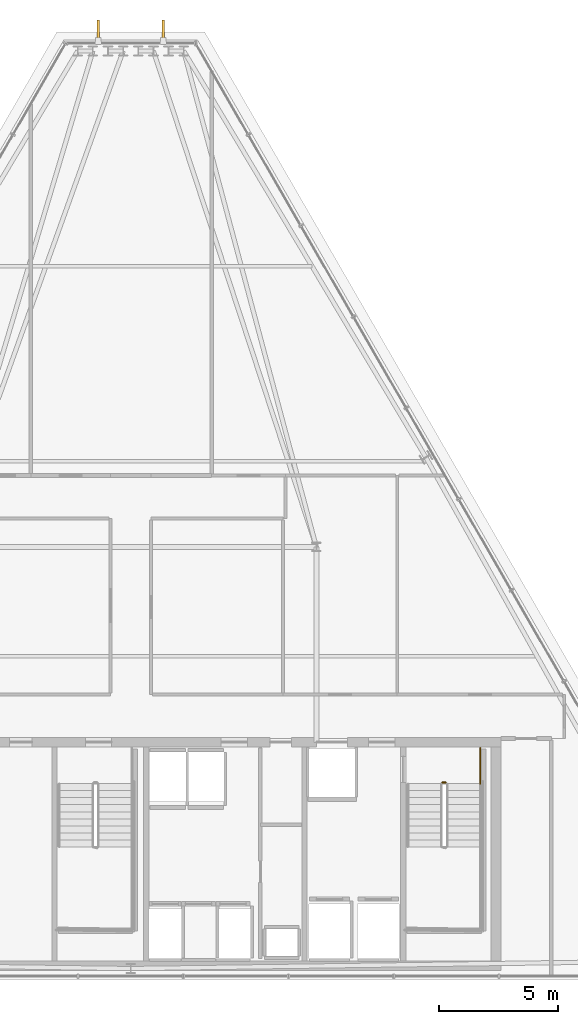
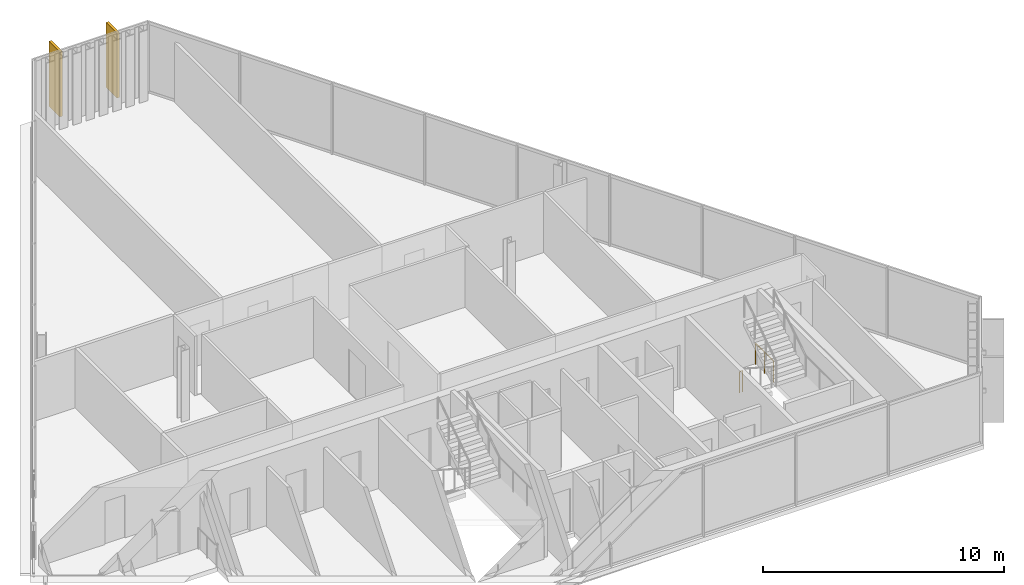
# One storey, part 34 of 34: 2 railings, 2 shading devices.
"""IFC4 building model written with IfcOpenShell, lengths in metres."""

import ifcopenshell
import ifcopenshell.guid

model = None  # the IFC model being written
_history = None  # IfcOwnerHistory: only IFC2X3 demands one
_inside = {}  # id of a spatial element -> (the spatial element, [elements in it])
_under = {}  # id of a project, library or spatial element -> (it, [spatial elements below it])
_declared = {}  # id of a project -> (the project, [libraries it declares])
_typed = {}  # id of a type object -> (the type object, [elements of that type])
_made_of = {}  # id of a material, layer set ... -> (it, [elements and type objects made of it])


def new_model(schema):
    """Start an empty IFC model of exactly this schema.

    Asked for "IFC4X3", IfcOpenShell would pick the latest addendum, in which some entities
    have other attributes; the version numbers below select the first issue.
    IFC2X3 requires an IfcOwnerHistory on every rooted entity: one is made here for all.
    """
    global model, _history
    if schema == "IFC4X3":
        model = ifcopenshell.file(schema_version=(4, 3, 0, 0))
    else:
        model = ifcopenshell.file(schema=schema)
    _inside.clear()
    _under.clear()
    _declared.clear()
    _typed.clear()
    _made_of.clear()
    _history = None
    if model.schema == "IFC2X3":
        org = make("IfcOrganization", Name="unknown")
        user = make(
            "IfcPersonAndOrganization",
            ThePerson=make("IfcPerson", FamilyName="unknown"),
            TheOrganization=org,
        )
        app = make(
            "IfcApplication",
            ApplicationDeveloper=org,
            Version="unknown",
            ApplicationFullName="unknown",
            ApplicationIdentifier="unknown",
        )
        _history = make(
            "IfcOwnerHistory",
            OwningUser=user,
            OwningApplication=app,
            ChangeAction="ADDED",
            CreationDate=0,
        )
    return model


def make(cls, **values):
    """One entity of the class cls with the attributes given. An attribute that is None is left unset."""
    return model.create_entity(
        cls, **{name: value for name, value in values.items() if value is not None}
    )


def rooted(cls, **values):
    """An entity with a GlobalId (a new one), such as an element, a storey or a relation."""
    return make(cls, GlobalId=ifcopenshell.guid.new(), OwnerHistory=_history, **values)


def si_unit(unit_type, name, prefix=None):
    """IfcSIUnit, for example si_unit("LENGTHUNIT", "METRE", prefix="MILLI")."""
    return make("IfcSIUnit", UnitType=unit_type, Prefix=prefix, Name=name)


def assignment(units):
    """IfcUnitAssignment: the units of a project."""
    return None if units is None else make("IfcUnitAssignment", Units=units)


def point(xyz):
    """IfcCartesianPoint."""
    return None if xyz is None else make("IfcCartesianPoint", Coordinates=xyz)


def direction(xyz):
    """IfcDirection."""
    return None if xyz is None else make("IfcDirection", DirectionRatios=xyz)


def frame(location, z_axis=None, x_axis=None):
    """IfcAxis2Placement3D, a coordinate frame: its origin and axes. An axis left out is left unset."""
    return make(
        "IfcAxis2Placement3D",
        Location=point(location),
        Axis=direction(z_axis),
        RefDirection=direction(x_axis),
    )


def frame_2d(location, x_axis=None):
    """IfcAxis2Placement2D, a coordinate frame in the plane: its origin and x axis."""
    return make(
        "IfcAxis2Placement2D", Location=point(location), RefDirection=direction(x_axis)
    )


def origin():
    """The frame at (0, 0, 0) with its axes left unset."""
    return frame((0.0, 0.0, 0.0))


def origin_2d():
    """The frame at (0, 0) in the plane with its x axis left unset."""
    return frame_2d((0.0, 0.0))


def place(relative_to, where):
    """IfcLocalPlacement: puts the frame where relative to a parent placement (None: the world)."""
    return make(
        "IfcLocalPlacement", PlacementRelTo=relative_to, RelativePlacement=where
    )


def context(
    kind, dimensions, precision=None, world=None, true_north=None, identifier=None
):
    """IfcGeometricRepresentationContext, for example the 3D "Model" context."""
    return make(
        "IfcGeometricRepresentationContext",
        ContextIdentifier=identifier,
        ContextType=kind,
        CoordinateSpaceDimension=dimensions,
        Precision=precision,
        WorldCoordinateSystem=world,
        TrueNorth=true_north,
    )


def subcontext(parent, identifier, kind, view, scale=None):
    """IfcGeometricRepresentationSubContext, for example "Body" below "Model"."""
    return make(
        "IfcGeometricRepresentationSubContext",
        ContextIdentifier=identifier,
        ContextType=kind,
        ParentContext=parent,
        TargetScale=scale,
        TargetView=view,
    )


def project(units=None, contexts=None):
    """IfcProject with its units and contexts."""
    return rooted(
        "IfcProject",
        Name="project",
        RepresentationContexts=contexts,
        UnitsInContext=assignment(units),
    )


def spatial(cls, under=None, at=None, **own):
    """A site, building, storey or space (cls), placed at a placement, below another one or the project."""
    s = rooted(cls, ObjectPlacement=at, **own)
    if under is not None:
        _under.setdefault(under.id(), (under, []))[1].append(s)
    return s


def profile(cls, at=None, kind="AREA", **sizes):
    """A parametric profile (cls). Its sizes go by their IFC names, for example OverallWidth=200.0."""
    return make(cls, ProfileType=kind, Position=at, **sizes)


def rectangle(**sizes):
    """IfcRectangleProfileDef."""
    return profile("IfcRectangleProfileDef", **sizes)


def circle(**sizes):
    """IfcCircleProfileDef."""
    return profile("IfcCircleProfileDef", **sizes)


def extrude(swept, where, along, depth):
    """IfcExtrudedAreaSolid: the profile swept, set in the frame where, extruded along a direction by depth."""
    return make(
        "IfcExtrudedAreaSolid",
        SweptArea=swept,
        Position=where,
        ExtrudedDirection=direction(along),
        Depth=depth,
    )


def shape(context_of_items, identifier, shape_type, items):
    """IfcShapeRepresentation: the items that make up one representation, for example the "Body"."""
    return make(
        "IfcShapeRepresentation",
        ContextOfItems=context_of_items,
        RepresentationIdentifier=identifier,
        RepresentationType=shape_type,
        Items=items,
    )


def material(Name=None, Category=None):
    """IfcMaterial."""
    return make("IfcMaterial", Name=Name, Category=Category)


def layer(
    of_material, thickness, ventilated=None, Name=None, Category=None, Priority=None
):
    """IfcMaterialLayer: one layer of a wall or slab, of a material (None: an air gap)."""
    return make(
        "IfcMaterialLayer",
        Material=of_material,
        LayerThickness=thickness,
        IsVentilated=ventilated,
        Name=Name,
        Category=Category,
        Priority=Priority,
    )


def layer_set(layers, Name=None):
    """IfcMaterialLayerSet."""
    return make("IfcMaterialLayerSet", MaterialLayers=layers, LayerSetName=Name)


def made_of(thing, what):
    """Note that an element or type object is made of a material, layer set ...; save() writes the relation."""
    if what is not None:
        _made_of.setdefault(what.id(), (what, []))[1].append(thing)
    return thing


def type_object(cls, material=None, **own):
    """A type object (cls), such as IfcWallType, which elements share."""
    return made_of(rooted(cls, **own), material)


def element(
    cls,
    number,
    at=None,
    inside=None,
    cuts=None,
    type_object=None,
    material=None,
    context=None,
    identifier="Body",
    shape_type=None,
    held_by="IfcProductDefinitionShape",
    body=None,
    shapes=None,
    **own,
):
    """One element of the class cls, such as IfcWall. Its Tag is "e" and its number.

    at: its placement. inside: the storey or other place that contains it. cuts: it is an
    opening in that element (IfcRelVoidsElement). A single representation is given by context,
    identifier, shape_type and body (its items); several are given by shapes. held_by: the class
    of the entity that holds the representations. save() writes the other relations.
    """
    e = rooted(cls, Tag="e%d" % number, ObjectPlacement=at, **own)
    if body is not None:
        shapes = [shape(context, identifier, shape_type, body)]
    if shapes is not None:
        e.Representation = make(held_by, Representations=shapes)
    if inside is not None:
        _inside.setdefault(inside.id(), (inside, []))[1].append(e)
    if cuts is not None:
        rooted(
            "IfcRelVoidsElement", RelatingBuildingElement=cuts, RelatedOpeningElement=e
        )
    if type_object is not None:
        _typed.setdefault(type_object.id(), (type_object, []))[1].append(e)
    return made_of(e, material)


def aggregate(whole, parts):
    """IfcRelAggregates: a whole, such as a stair, and the parts it consists of."""
    return rooted("IfcRelAggregates", RelatingObject=whole, RelatedObjects=parts)


def save(model, path):
    """Write the relations noted so far, then the file.

    IfcRelAggregates (storeys below a building ...), IfcRelContainedInSpatialStructure (elements
    in a storey), IfcRelDefinesByType, IfcRelAssociatesMaterial and IfcRelDeclares: one each for
    every whole, place, type object, material and project.
    """
    for whole, parts in _under.values():
        aggregate(whole, parts)
    for where, things in _inside.values():
        rooted(
            "IfcRelContainedInSpatialStructure",
            RelatedElements=things,
            RelatingStructure=where,
        )
    for kind, things in _typed.values():
        rooted("IfcRelDefinesByType", RelatedObjects=things, RelatingType=kind)
    for what, things in _made_of.values():
        rooted("IfcRelAssociatesMaterial", RelatedObjects=things, RelatingMaterial=what)
    for by, libraries in _declared.values():
        rooted("IfcRelDeclares", RelatingContext=by, RelatedDefinitions=libraries)
    model.write(path)


model = new_model("IFC4")

# Units and contexts
model_context = context("Model", 3, precision=1e-05, world=origin(), true_north=direction((0.0, 1.0)))
body_context = subcontext(model_context, "Body", "Model", "MODEL_VIEW")
ifc_project = project(units=[si_unit("LENGTHUNIT", "METRE"), si_unit("AREAUNIT", "SQUARE_METRE"), si_unit("VOLUMEUNIT", "CUBIC_METRE"), si_unit("PLANEANGLEUNIT", "RADIAN"), si_unit("MASSUNIT", "GRAM", prefix="KILO")], contexts=[model_context])

# Site, building, storey
site_placement = place(None, origin())
site = spatial("IfcSite", under=ifc_project, at=site_placement, CompositionType="ELEMENT")
building_placement = place(site_placement, origin())
building = spatial("IfcBuilding", under=site, at=building_placement, Name="Ndaravel Arena Tower", CompositionType="ELEMENT")
storey_placement = place(building_placement, frame((0.0, 0.0, 263.60009765625)))
storey = spatial("IfcBuildingStorey", under=building, at=storey_placement, Name="L64", CompositionType="ELEMENT", Elevation=263.60009765625)

# Railings
ifc_material_1 = material(Name="Steel S355", Category="steel")
ifc_layer = layer(ifc_material_1, 0.06005859375)
ifc_layer_set = layer_set([ifc_layer], Name="Steel S355")
railing_type = type_object("IfcRailingType", Name="RAIL-STAIR-GD1100", PredefinedType="GUARDRAIL", material=ifc_layer_set)
railing_1_placement = place(storey_placement, frame((55.10009765625, 13.300048828125, 0.0)))
element("IfcRailing", 1, at=railing_1_placement, inside=storey, type_object=railing_type, Name="L64 ST-3 stair guard 4", PredefinedType="GUARDRAIL", context=body_context, shape_type="SweptSolid", body=[
    extrude(circle(Radius=0.02392578125, at=origin_2d()), frame((0.0, 0.0, 1.076171875), z_axis=(1.0, 0.0, 0.0), x_axis=(0.0, 1.0, 0.0)), (0.0, 0.0, 1.0), 0.139892578125),
    extrude(circle(Radius=0.02099609375, at=origin_2d()), origin(), (0.0, 0.0, 1.0), 1.052001953125),
    extrude(circle(Radius=0.02099609375, at=origin_2d()), frame((0.139892578125, 0.0, 0.0)), (0.0, 0.0, 1.0), 1.052001953125),
])
railing_2_placement = place(storey_placement, frame((56.68994140625, 14.75, 0.0)))
element("IfcRailing", 2, at=railing_2_placement, inside=storey, type_object=railing_type, Name="L64 ST-3 stair guard 5", PredefinedType="GUARDRAIL", context=body_context, shape_type="SweptSolid", body=[
    extrude(circle(Radius=0.02392578125, at=origin_2d()), frame((0.0, 0.0, 1.076171875), z_axis=(0.0, -1.0, 0.0), x_axis=(1.0, 0.0, 0.0)), (0.0, 0.0, 1.0), 1.5),
    extrude(circle(Radius=0.02099609375, at=origin_2d()), origin(), (0.0, 0.0, 1.0), 1.052001953125),
    extrude(circle(Radius=0.02099609375, at=origin_2d()), frame((0.0, -0.75, 0.0)), (0.0, 0.0, 1.0), 1.052001953125),
    extrude(circle(Radius=0.02099609375, at=origin_2d()), frame((0.0, -1.5, 0.0)), (0.0, 0.0, 1.0), 1.052001953125),
])

# Shading devices
ifc_material_2 = material(Name="Masonry", Category="masonry")
shading_device_type = type_object("IfcShadingDeviceType", Name="SHD-MAZERAS-FIN", PredefinedType="SHUTTER", material=ifc_material_2)
for number, where, z_axis, x_axis, name in (
    (3, (43.364990234375, 44.892333984375, 0.14990234375), (0.0, 0.0, 1.0), (0.0, 1.0, 0.0), "L64 Mazeras Stone Solar Fin E4.1"),
    (4, (40.635009765625, 44.892333984375, 0.14990234375), (0.0, 0.0, 1.0), (0.0, 1.0, 0.0), "L64 Mazeras Stone Solar Fin E4.2"),
):
    element("IfcShadingDevice", number, at=place(storey_placement, frame(where, z_axis=z_axis, x_axis=x_axis)), inside=storey, type_object=shading_device_type, Name=name, PredefinedType="SHUTTER", context=body_context, shape_type="SweptSolid", body=[
        extrude(rectangle(XDim=0.89990234375, YDim=0.1201171875, at=origin_2d()), origin(), (0.0, 0.0, 1.0), 3.280029296875),
    ])

save(model, "model.ifc")
